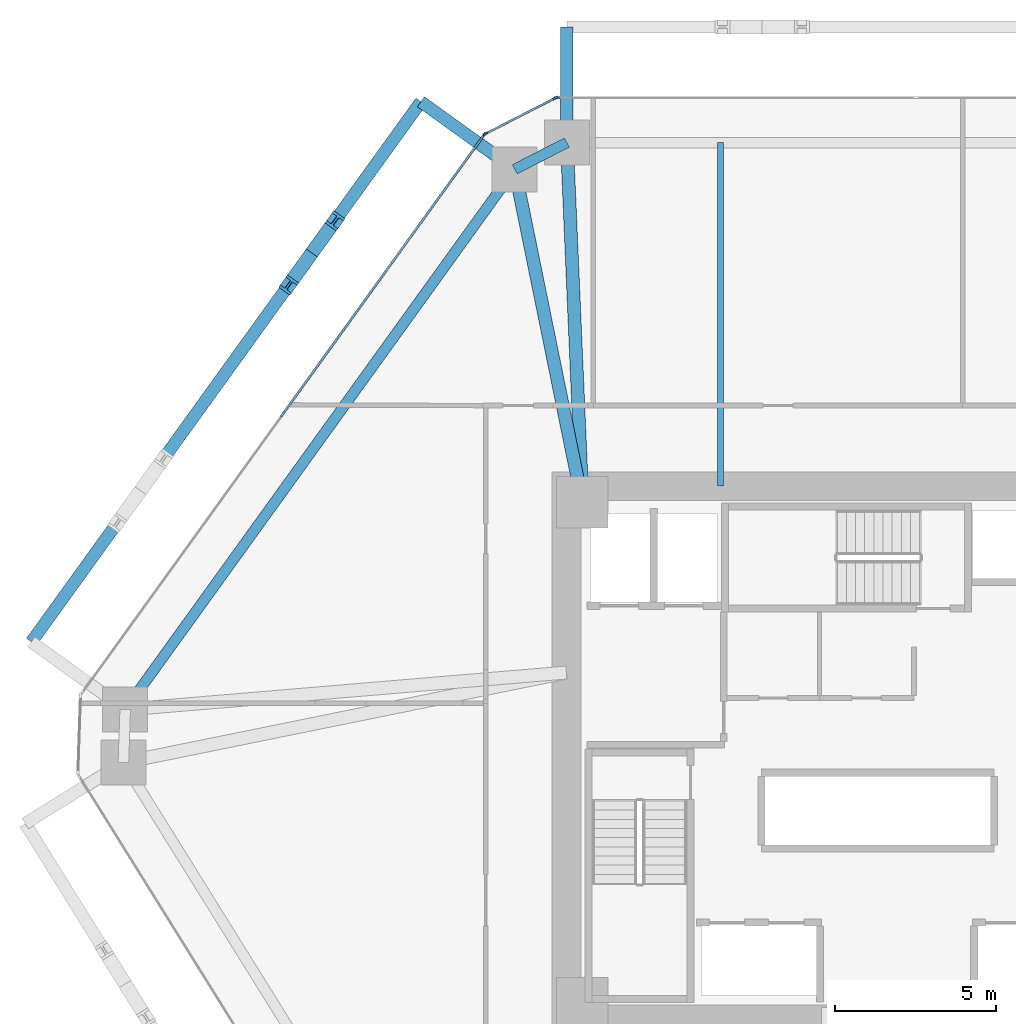
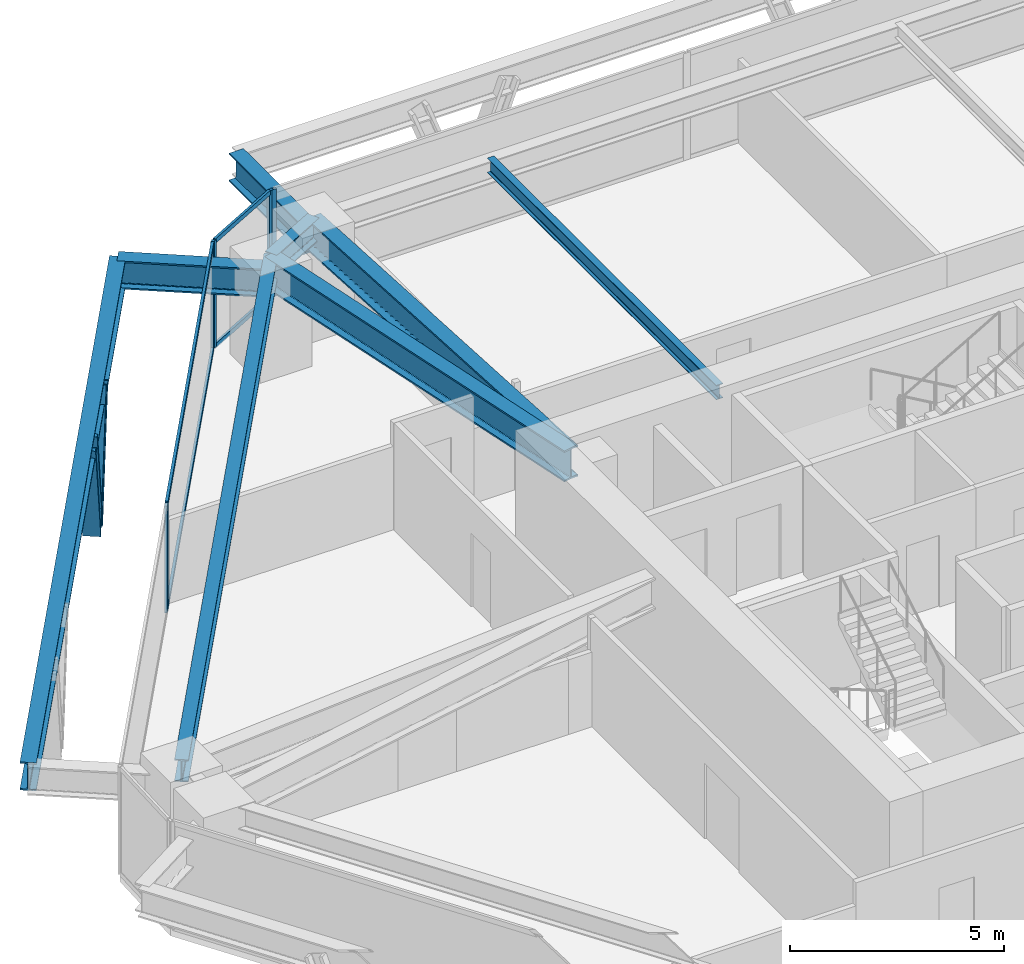
# One storey, part 7 of 14: 11 members, 8 beams, 3 elements without a shape of their own.
"""IFC4 building model written with IfcOpenShell, lengths in metres."""

from ifc_helpers import new_model, si_unit, direction, frame, origin, origin_2d, place, context, subcontext, project, spatial, rectangle, i_section, extrude, source, transform, mapped, material, layer, layer_set, material_profile, profile_set, type_object, type_shapes, element, aggregate, save


model = new_model("IFC4")

# Units and contexts
model_context = context("Model", 3, precision=1e-05, world=origin(), true_north=direction((0.0, 1.0)))
body_context = subcontext(model_context, "Body", "Model", "MODEL_VIEW")
ifc_project = project(units=[si_unit("LENGTHUNIT", "METRE"), si_unit("AREAUNIT", "SQUARE_METRE"), si_unit("VOLUMEUNIT", "CUBIC_METRE"), si_unit("PLANEANGLEUNIT", "RADIAN"), si_unit("MASSUNIT", "GRAM", prefix="KILO")], contexts=[model_context])

# Site, building, storey
site_placement = place(None, origin())
site = spatial("IfcSite", under=ifc_project, at=site_placement, CompositionType="ELEMENT")
building_placement = place(site_placement, origin())
building = spatial("IfcBuilding", under=site, at=building_placement, Name="Durnholm Broadcast Tower", CompositionType="ELEMENT")
storey_placement = place(building_placement, frame((0.0, 0.0, 48.89990234375)))
storey = spatial("IfcBuildingStorey", under=building, at=storey_placement, Name="L11", CompositionType="ELEMENT", Elevation=48.89990234375)

# Beams
ifc_material_1 = material(Name="Steel ASTM A992 Grade 50", Category="steel")
ifc_material_profile_1 = material_profile(ifc_material_1, i_section(OverallWidth=0.3291015625, OverallDepth=0.635009765625, WebThickness=0.017822265625, FlangeThickness=0.031005859375, FilletRadius=0.02783203125, at=origin_2d()), Name="W24X162")
ifc_profile_set_1 = profile_set([ifc_material_profile_1], Name="Steel ASTM A992 Grade 50")
beam_type_1 = type_object("IfcBeamType", Name="STL-SP-W24X162", PredefinedType="SPANDREL", material=ifc_profile_set_1)
shared_shape_1 = source(origin(), body_context, "Body", "SweptSolid", [
    extrude(i_section(OverallWidth=0.3291015625, OverallDepth=0.635009765625, WebThickness=0.017822265625, FlangeThickness=0.031005859375, FilletRadius=0.02783203125, at=origin_2d()), origin(), (0.0, 0.0, 1.0), 20.737060546875),
])
beam_1_placement = place(storey_placement, frame((-24.034912109375, 1.347412109375, 2.7275390625), z_axis=(0.584821933191, 0.811161701795, 0.0), x_axis=(-0.811161701795, 0.584821933191, 0.0)))
element("IfcBeam", 1, at=beam_1_placement, inside=storey, type_object=beam_type_1, Name="L11 perimeter spandrel girder 03", PredefinedType="SPANDREL", context=body_context, shape_type="MappedRepresentation", body=[
    mapped(shared_shape_1, transform((0.0, 0.0, 0.0), x_axis=(1.0, 0.0, 0.0), y_axis=(0.0, 1.0, 0.0), z_axis=(0.0, 0.0, 1.0), scale=1.0)),
])
shared_shape_2 = source(origin(), body_context, "Body", "SweptSolid", [
    extrude(i_section(OverallWidth=0.3291015625, OverallDepth=0.635009765625, WebThickness=0.017822265625, FlangeThickness=0.031005859375, FilletRadius=0.02783203125, at=origin_2d()), origin(), (0.0, 0.0, 1.0), 1.8251953125),
])
type_shapes(beam_type_1, [shared_shape_1, shared_shape_2])
beam_2_placement = place(storey_placement, frame((-11.907470703125, 18.16845703125, 2.7275390625), z_axis=(0.890187609501, 0.455594139438, 0.0), x_axis=(-0.455594139438, 0.890187609501, 0.0)))
element("IfcBeam", 2, at=beam_2_placement, inside=storey, type_object=beam_type_1, Name="L11 perimeter spandrel girder 04", PredefinedType="SPANDREL", context=body_context, shape_type="MappedRepresentation", body=[
    mapped(shared_shape_2, transform((0.0, 0.0, 0.0), x_axis=(1.0, 0.0, 0.0), y_axis=(0.0, 1.0, 0.0), z_axis=(0.0, 0.0, 1.0), scale=1.0)),
])
ifc_material_profile_2 = material_profile(ifc_material_1, i_section(OverallWidth=0.404052734375, OverallDepth=0.885009765625, WebThickness=0.0244140625, FlangeThickness=0.0439453125, FilletRadius=0.03564453125, at=origin_2d()), Name="W33X291")
ifc_profile_set_2 = profile_set([ifc_material_profile_2], Name="Steel ASTM A992 Grade 50")
beam_type_2 = type_object("IfcBeamType", Name="STL-GR-W33X291", PredefinedType="USERDEFINED", material=ifc_profile_set_2)
shared_shape_3 = source(origin(), body_context, "Body", "SweptSolid", [
    extrude(i_section(OverallWidth=0.404052734375, OverallDepth=0.885009765625, WebThickness=0.0244140625, FlangeThickness=0.0439453125, FilletRadius=0.03564453125, at=origin_2d()), origin(), (0.0, 0.0, 1.0), 10.580322265625),
])
beam_3_placement = place(storey_placement, frame((-9.800048828125, 7.800048828125, 2.6025390625), z_axis=(-0.199181458925, 0.979962625012, 0.0), x_axis=(-0.979962625012, -0.199181458925, 0.0)))
element("IfcBeam", 3, at=beam_3_placement, inside=storey, type_object=beam_type_2, Name="L11 radial primary floor girder 04", ObjectType="GIRDER", PredefinedType="USERDEFINED", context=body_context, shape_type="MappedRepresentation", body=[
    mapped(shared_shape_3, transform((0.0, 0.0, 0.0), x_axis=(1.0, 0.0, 0.0), y_axis=(0.0, 1.0, 0.0), z_axis=(0.0, 0.0, 1.0), scale=1.0)),
])
shared_shape_4 = source(origin(), body_context, "Body", "SweptSolid", [
    extrude(i_section(OverallWidth=0.404052734375, OverallDepth=0.885009765625, WebThickness=0.0244140625, FlangeThickness=0.0439453125, FilletRadius=0.03564453125, at=origin_2d()), origin(), (0.0, 0.0, 1.0), 11.21044921875),
])
type_shapes(beam_type_2, [shared_shape_3, shared_shape_4])
beam_4_placement = place(storey_placement, frame((-9.800048828125, 7.800048828125, 2.6025390625), z_axis=(-0.043055404914, 0.999072686098, 0.0), x_axis=(-0.999072686098, -0.043055404914, 0.0)))
element("IfcBeam", 4, at=beam_4_placement, inside=storey, type_object=beam_type_2, Name="L11 radial primary floor girder 05", ObjectType="GIRDER", PredefinedType="USERDEFINED", context=body_context, shape_type="MappedRepresentation", body=[
    mapped(shared_shape_4, transform((0.0, 0.0, 0.0), x_axis=(1.0, 0.0, 0.0), y_axis=(0.0, 1.0, 0.0), z_axis=(0.0, 0.0, 1.0), scale=1.0)),
])
ifc_material_profile_3 = material_profile(ifc_material_1, i_section(OverallWidth=0.180908203125, OverallDepth=0.417236328125, WebThickness=0.010986328125, FlangeThickness=0.018310546875, FilletRadius=0.01904296875, at=origin_2d()), Name="W16X57")
ifc_profile_set_3 = profile_set([ifc_material_profile_3], Name="Steel ASTM A992 Grade 50")
beam_type_3 = type_object("IfcBeamType", Name="STL-BJ-W16X57", PredefinedType="JOIST", material=ifc_profile_set_3)
shared_shape_5 = source(origin(), body_context, "Body", "SweptSolid", [
    extrude(i_section(OverallWidth=0.180908203125, OverallDepth=0.417236328125, WebThickness=0.010986328125, FlangeThickness=0.018310546875, FilletRadius=0.01904296875, at=origin_2d()), origin(), (0.0, 0.0, 1.0), 10.699951171875),
])
type_shapes(beam_type_3, [shared_shape_5])
beam_5_placement = place(storey_placement, frame((-5.5, 8.300048828125, 2.83642578125), z_axis=(0.0, 1.0, 0.0), x_axis=(-1.0, 0.0, 0.0)))
element("IfcBeam", 5, at=beam_5_placement, inside=storey, type_object=beam_type_3, Name="L11 secondary floor joist 3.2", PredefinedType="JOIST", context=body_context, shape_type="MappedRepresentation", body=[
    mapped(shared_shape_5, transform((0.0, 0.0, 0.0), x_axis=(1.0, 0.0, 0.0), y_axis=(0.0, 1.0, 0.0), z_axis=(0.0, 0.0, 1.0), scale=1.0)),
])
ifc_material_profile_4 = material_profile(ifc_material_1, i_section(OverallWidth=0.385009765625, OverallDepth=0.802978515625, WebThickness=0.023681640625, FlangeThickness=0.0419921875, FilletRadius=0.032958984375, at=origin_2d()), Name="W30X261")
ifc_profile_set_4 = profile_set([ifc_material_profile_4], Name="Steel ASTM A992 Grade 50")
beam_type_4 = type_object("IfcBeamType", Name="BM-EXO-TIE", PredefinedType="USERDEFINED", material=ifc_profile_set_4)
shared_shape_6 = source(origin(), body_context, "Body", "SweptSolid", [
    extrude(i_section(OverallWidth=0.385009765625, OverallDepth=0.802978515625, WebThickness=0.023681640625, FlangeThickness=0.0419921875, FilletRadius=0.032958984375, at=origin_2d()), origin(), (0.0, 0.0, 1.0), 3.4560546875),
])
for number, where, z_axis, x_axis, name in (
    (6, (-10.28271484375, 19.14404296875, 2.30859375), (0.0, 1.0, 0.0), (-1.0, 0.0, 0.0), "L11 exoskeleton stand-off tie bracket F4.2"),
    (7, (-12.024169921875, 18.252685546875, 2.30859375), (-0.811157675106, 0.584827518262, 0.0), (-0.584827518262, -0.811157675106, 0.0), "L11 exoskeleton stand-off tie bracket F5.1"),
):
    element("IfcBeam", number, at=place(storey_placement, frame(where, z_axis=z_axis, x_axis=x_axis)), inside=storey, type_object=beam_type_4, Name=name, ObjectType="GIRDER", PredefinedType="USERDEFINED", context=body_context, shape_type="MappedRepresentation", body=[
        mapped(shared_shape_6, transform((0.0, 0.0, 0.0), x_axis=(1.0, 0.0, 0.0), y_axis=(0.0, 1.0, 0.0), z_axis=(0.0, 0.0, 1.0), scale=1.0)),
    ])
shared_shape_7 = source(origin(), body_context, "Body", "SweptSolid", [
    extrude(i_section(OverallWidth=0.385009765625, OverallDepth=0.802978515625, WebThickness=0.023681640625, FlangeThickness=0.0419921875, FilletRadius=0.032958984375, at=origin_2d()), origin(), (0.0, 0.0, 1.0), 20.737060546875),
])
type_shapes(beam_type_4, [shared_shape_6, shared_shape_7])
beam_6_placement = place(storey_placement, frame((-14.82763671875, 20.27392578125, 2.30859375), z_axis=(-0.5848163482, -0.811165728368, 0.0), x_axis=(0.811165728368, -0.5848163482, 0.0)))
element("IfcBeam", 8, at=beam_6_placement, inside=storey, type_object=beam_type_4, Name="L11 exoskeleton collector spandrel F5", PredefinedType="SPANDREL", context=body_context, shape_type="MappedRepresentation", body=[
    mapped(shared_shape_7, transform((0.0, 0.0, 0.0), x_axis=(1.0, 0.0, 0.0), y_axis=(0.0, 1.0, 0.0), z_axis=(0.0, 0.0, 1.0), scale=1.0)),
])

# Members
ifc_material_2 = material(Name="Steel ASTM A913 Grade 65", Category="steel")
ifc_material_profile_5 = material_profile(ifc_material_2, i_section(OverallWidth=0.43212890625, OverallDepth=0.497802734375, WebThickness=0.0556640625, FlangeThickness=0.0888671875, FilletRadius=0.030517578125, at=origin_2d()), Name="W14X500")
ifc_profile_set_5 = profile_set([ifc_material_profile_5], Name="Steel ASTM A913 Grade 65")
member_type_1 = type_object("IfcMemberType", Name="STL-DG-W14X500", PredefinedType="BRACE", material=ifc_profile_set_5)
shared_shape_8 = source(origin(), body_context, "Body", "SweptSolid", [
    extrude(i_section(OverallWidth=0.43212890625, OverallDepth=0.497802734375, WebThickness=0.0556640625, FlangeThickness=0.0888671875, FilletRadius=0.030517578125, at=origin_2d()), origin(), (0.0, 0.0, 1.0), 3.523193359375),
])
type_shapes(member_type_1, [shared_shape_8])
for number, where, z_axis, x_axis, name in (
    (9, (-18.223388671875, 15.56396484375, -0.991455078125), (0.204839138341, 0.284044529113, 0.93667477434), (-0.81109123444, 0.58491966065, 0.0), "L11 stand-off diagrid brace F5.D1.1"),
    (10, (-18.223388671875, 15.56396484375, -0.991455078125), (-0.20477274847, -0.284048560399, 0.936688068046), (0.811185111535, -0.584789461963, 0.0), "L11 stand-off diagrid brace F5.D1.2"),
):
    element("IfcMember", number, at=place(storey_placement, frame(where, z_axis=z_axis, x_axis=x_axis)), inside=storey, type_object=member_type_1, Name=name, PredefinedType="BRACE", context=body_context, shape_type="MappedRepresentation", body=[
        mapped(shared_shape_8, transform((0.0, 0.0, 0.0), x_axis=(1.0, 0.0, 0.0), y_axis=(0.0, 1.0, 0.0), z_axis=(0.0, 0.0, 1.0), scale=1.0)),
    ])

# Curtain wall, members
ifc_material_3 = material(Name="Aluminium and Solar Control IGU", Category="aluminium")
ifc_layer_1 = layer(ifc_material_3, 0.1650390625)
ifc_layer_set_1 = layer_set([ifc_layer_1], Name="Aluminium and Solar Control IGU")
curtain_wall_type_1 = type_object("IfcCurtainWallType", Name="CW-SYS-5", PredefinedType="NOTDEFINED", material=ifc_layer_set_1)
curtain_wall_1_placement = place(storey_placement, origin())
curtain_wall_1 = element("IfcCurtainWall", 11, at=curtain_wall_1_placement, inside=storey, type_object=curtain_wall_type_1, Name="L11 curtain wall CW-CORNER CW-L11-CRN-03", PredefinedType="NOTDEFINED")
ifc_material_4 = material(Name="Aluminium 6063-T6", Category="aluminium")
ifc_material_profile_6 = material_profile(ifc_material_4, rectangle(XDim=0.06494140625, YDim=0.1650390625, at=origin_2d()), Name="CWM65X165")
ifc_profile_set_6 = profile_set([ifc_material_profile_6], Name="Aluminium 6063-T6")
member_type_2 = type_object("IfcMemberType", Name="CW-SYS-5-MUL", PredefinedType="MULLION", material=ifc_profile_set_6)
shared_shape_9 = source(origin(), body_context, "Body", "SweptSolid", [
    extrude(rectangle(XDim=0.06494140625, YDim=0.1650390625, at=origin_2d()), origin(), (0.0, 0.0, 1.0), 3.06005859375),
])
type_shapes(member_type_2, [shared_shape_9])
member_1_placement = place(storey_placement, frame((-12.816650390625, 19.27587890625, 0.0), z_axis=(0.0, 0.0, 1.0), x_axis=(-0.455593758406, 0.890187804512, 0.0)))
member_1 = element("IfcMember", 12, at=member_1_placement, type_object=member_type_2, Name="CW-CORNER mullion 1", PredefinedType="MULLION", context=body_context, shape_type="MappedRepresentation", body=[
    mapped(shared_shape_9, transform((0.0, 0.0, 0.0), x_axis=(1.0, 0.0, 0.0), y_axis=(0.0, 1.0, 0.0), z_axis=(0.0, 0.0, 1.0), scale=1.0)),
])
member_2_placement = place(storey_placement, frame((-10.649169921875, 20.38525390625, 0.0), z_axis=(0.0, 0.0, 1.0), x_axis=(-0.455593758406, 0.890187804512, 0.0)))
member_2 = element("IfcMember", 13, at=member_2_placement, type_object=member_type_2, Name="CW-CORNER mullion 2", PredefinedType="MULLION", context=body_context, shape_type="MappedRepresentation", body=[
    mapped(shared_shape_9, transform((0.0, 0.0, 0.0), x_axis=(1.0, 0.0, 0.0), y_axis=(0.0, 1.0, 0.0), z_axis=(0.0, 0.0, 1.0), scale=1.0)),
])
ifc_material_profile_7 = material_profile(ifc_material_4, rectangle(XDim=0.06494140625, YDim=0.1298828125, at=origin_2d()), Name="CWT65X130")
ifc_profile_set_7 = profile_set([ifc_material_profile_7], Name="Aluminium 6063-T6")
member_type_3 = type_object("IfcMemberType", Name="CW-SYS-5-TRN", PredefinedType="USERDEFINED", material=ifc_profile_set_7)
shared_shape_10 = source(origin(), body_context, "Body", "SweptSolid", [
    extrude(rectangle(XDim=0.06494140625, YDim=0.1298828125, at=origin_2d()), origin(), (0.0, 0.0, 1.0), 2.3701171875),
])
type_shapes(member_type_3, [shared_shape_10])
member_3_placement = place(storey_placement, frame((-12.787841796875, 19.29052734375, 0.03271484375), z_axis=(0.890185016934, 0.455599205033, 0.0), x_axis=(-0.455599205033, 0.890185016934, 0.0)))
member_3 = element("IfcMember", 14, at=member_3_placement, type_object=member_type_3, Name="CW-CORNER transom 1.1", ObjectType="TRANSOM", PredefinedType="USERDEFINED", context=body_context, shape_type="MappedRepresentation", body=[
    mapped(shared_shape_10, transform((0.0, 0.0, 0.0), x_axis=(1.0, 0.0, 0.0), y_axis=(0.0, 1.0, 0.0), z_axis=(0.0, 0.0, 1.0), scale=1.0)),
])
member_4_placement = place(storey_placement, frame((-12.787841796875, 19.29052734375, 3.027587890625), z_axis=(0.890185016934, 0.455599205033, 0.0), x_axis=(-0.455599205033, 0.890185016934, 0.0)))
member_4 = element("IfcMember", 15, at=member_4_placement, type_object=member_type_3, Name="CW-CORNER transom 1.2", ObjectType="TRANSOM", PredefinedType="USERDEFINED", context=body_context, shape_type="MappedRepresentation", body=[
    mapped(shared_shape_10, transform((0.0, 0.0, 0.0), x_axis=(1.0, 0.0, 0.0), y_axis=(0.0, 1.0, 0.0), z_axis=(0.0, 0.0, 1.0), scale=1.0)),
])
aggregate(curtain_wall_1, [member_1, member_2, member_3, member_4])

ifc_layer_2 = layer(ifc_material_3, 0.18994140625)
ifc_layer_set_2 = layer_set([ifc_layer_2], Name="Aluminium and Solar Control IGU")
curtain_wall_type_2 = type_object("IfcCurtainWallType", Name="CW-SYS-3", PredefinedType="NOTDEFINED", material=ifc_layer_set_2)
curtain_wall_2_placement = place(storey_placement, origin())
curtain_wall_2 = element("IfcCurtainWall", 16, at=curtain_wall_2_placement, inside=storey, type_object=curtain_wall_type_2, Name="L11 curtain wall CW-Z12-VIS CW-L11-F02", PredefinedType="NOTDEFINED")
ifc_material_profile_8 = material_profile(ifc_material_4, rectangle(XDim=0.070068359375, YDim=0.18994140625, at=origin_2d()), Name="CWM70X190")
ifc_profile_set_8 = profile_set([ifc_material_profile_8], Name="Aluminium 6063-T6")
member_type_4 = type_object("IfcMemberType", Name="CW-SYS-3-MUL", PredefinedType="MULLION", material=ifc_profile_set_8)
shared_shape_11 = source(origin(), body_context, "Body", "SweptSolid", [
    extrude(rectangle(XDim=0.070068359375, YDim=0.18994140625, at=origin_2d()), origin(), (0.0, 0.0, 1.0), 3.06005859375),
])
type_shapes(member_type_4, [shared_shape_11])
member_5_placement = place(storey_placement, frame((-19.1328125, 10.540771484375, 0.0), z_axis=(0.0, 0.0, 1.0), x_axis=(-0.81116057493, 0.584823496176, 0.0)))
member_5 = element("IfcMember", 17, at=member_5_placement, type_object=member_type_4, Name="CW-Z12-VIS mullion 2", PredefinedType="MULLION", context=body_context, shape_type="MappedRepresentation", body=[
    mapped(shared_shape_11, transform((0.0, 0.0, 0.0), x_axis=(1.0, 0.0, 0.0), y_axis=(0.0, 1.0, 0.0), z_axis=(0.0, 0.0, 1.0), scale=1.0)),
])
member_6_placement = place(storey_placement, frame((-12.8662109375, 19.232666015625, 0.0), z_axis=(0.0, 0.0, 1.0), x_axis=(-0.81116057493, 0.584823496176, 0.0)))
member_6 = element("IfcMember", 18, at=member_6_placement, type_object=member_type_4, Name="CW-Z12-VIS mullion 3", PredefinedType="MULLION", context=body_context, shape_type="MappedRepresentation", body=[
    mapped(shared_shape_11, transform((0.0, 0.0, 0.0), x_axis=(1.0, 0.0, 0.0), y_axis=(0.0, 1.0, 0.0), z_axis=(0.0, 0.0, 1.0), scale=1.0)),
])

# Curtain wall, member
curtain_wall_3_placement = place(storey_placement, origin())
curtain_wall_3 = element("IfcCurtainWall", 19, at=curtain_wall_3_placement, inside=storey, type_object=curtain_wall_type_2, Name="L11 curtain wall CW-Z12-VIS CW-L11-F04", PredefinedType="NOTDEFINED")
member_7_placement = place(storey_placement, frame((-10.585205078125, 20.39990234375, 0.0), z_axis=(0.0, 0.0, 1.0), x_axis=(0.0, 1.0, 0.0)))
member_7 = element("IfcMember", 20, at=member_7_placement, type_object=member_type_4, Name="CW-Z12-VIS mullion 1", PredefinedType="MULLION", context=body_context, shape_type="MappedRepresentation", body=[
    mapped(shared_shape_11, transform((0.0, 0.0, 0.0), x_axis=(1.0, 0.0, 0.0), y_axis=(0.0, 1.0, 0.0), z_axis=(0.0, 0.0, 1.0), scale=1.0)),
])
aggregate(curtain_wall_3, [member_7])

# Member
ifc_material_profile_9 = material_profile(ifc_material_4, rectangle(XDim=0.070068359375, YDim=0.14990234375, at=origin_2d()), Name="CWT70X150")
ifc_profile_set_9 = profile_set([ifc_material_profile_9], Name="Aluminium 6063-T6")
member_type_5 = type_object("IfcMemberType", Name="CW-SYS-3-TRN", PredefinedType="USERDEFINED", material=ifc_profile_set_9)
shared_shape_12 = source(origin(), body_context, "Body", "SweptSolid", [
    extrude(rectangle(XDim=0.070068359375, YDim=0.14990234375, at=origin_2d()), origin(), (0.0, 0.0, 1.0), 10.645263671875),
])
type_shapes(member_type_5, [shared_shape_12])
member_8_placement = place(storey_placement, frame((-19.1123046875, 10.569091796875, 0.03515625), z_axis=(0.584822983179, 0.811160944786, 0.0), x_axis=(-0.811160944786, 0.584822983179, 0.0)))
member_8 = element("IfcMember", 21, at=member_8_placement, type_object=member_type_5, Name="CW-Z12-VIS transom 2.1", ObjectType="TRANSOM", PredefinedType="USERDEFINED", context=body_context, shape_type="MappedRepresentation", body=[
    mapped(shared_shape_12, transform((0.0, 0.0, 0.0), x_axis=(1.0, 0.0, 0.0), y_axis=(0.0, 1.0, 0.0), z_axis=(0.0, 0.0, 1.0), scale=1.0)),
])

member_9_placement = place(storey_placement, frame((-19.1123046875, 10.569091796875, 3.025146484375), z_axis=(0.584822983179, 0.811160944786, 0.0), x_axis=(-0.811160944786, 0.584822983179, 0.0)))
member_9 = element("IfcMember", 22, at=member_9_placement, type_object=member_type_5, Name="CW-Z12-VIS transom 2.2", ObjectType="TRANSOM", PredefinedType="USERDEFINED", context=body_context, shape_type="MappedRepresentation", body=[
    mapped(shared_shape_12, transform((0.0, 0.0, 0.0), x_axis=(1.0, 0.0, 0.0), y_axis=(0.0, 1.0, 0.0), z_axis=(0.0, 0.0, 1.0), scale=1.0)),
])

aggregate(curtain_wall_2, [member_5, member_6, member_8, member_9])

save(model, "model.ifc")
